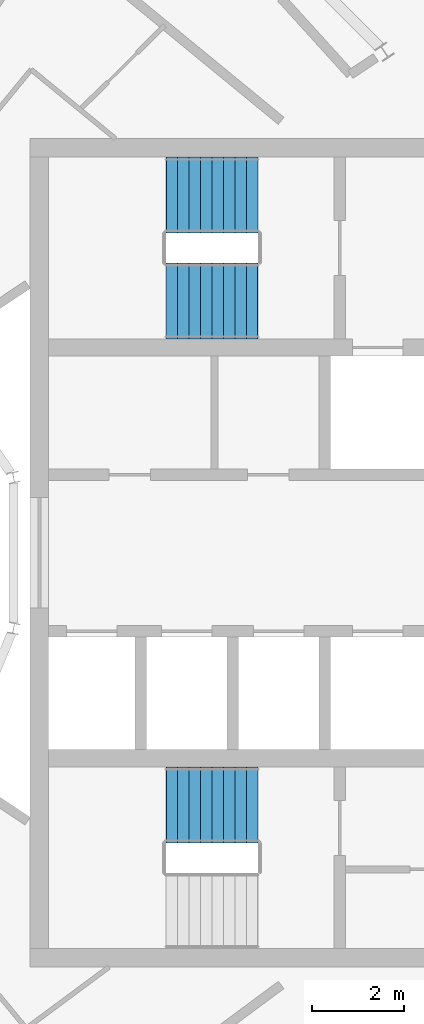
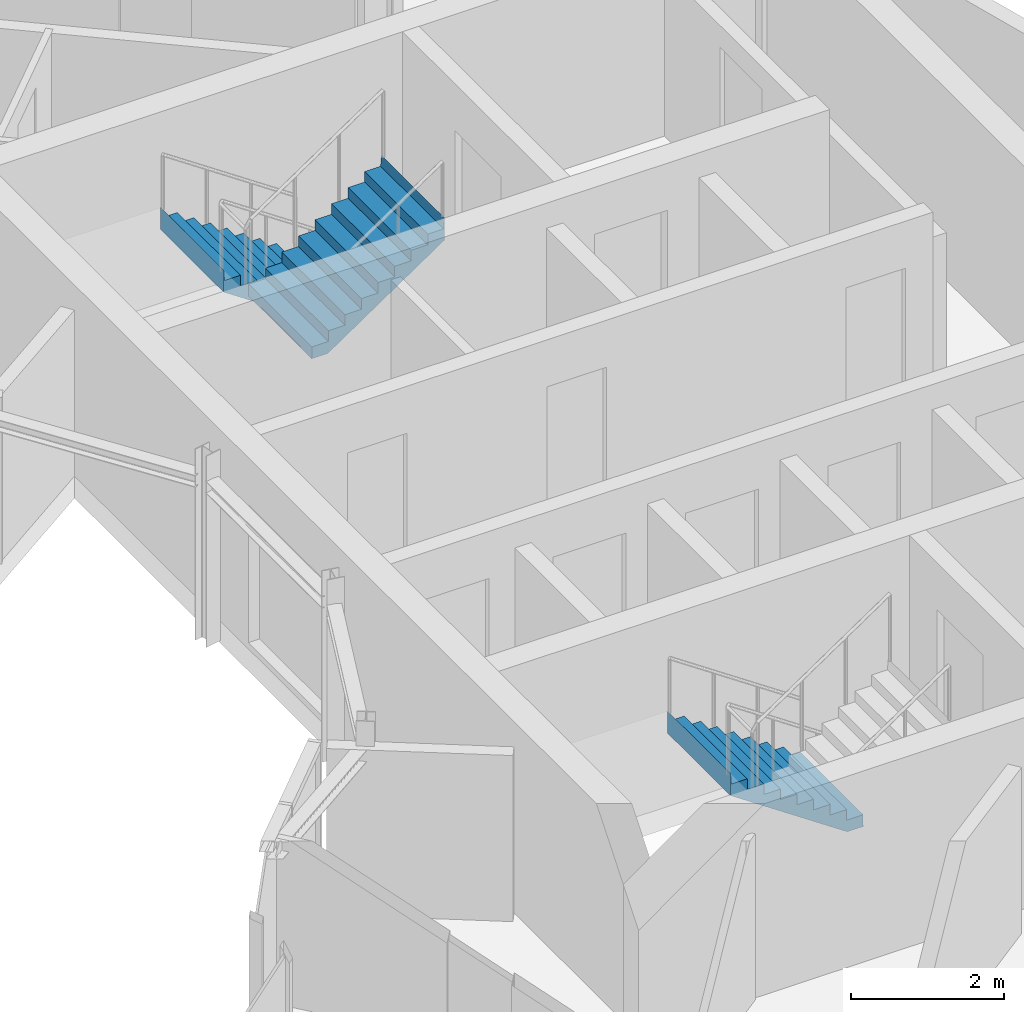
# One storey, part 16 of 17: 3 stair flights, 2 elements without a shape of their own.
"""IFC4 building model written with IfcOpenShell, lengths in metres."""

from ifc_helpers import new_model, si_unit, direction, frame, origin, place, context, subcontext, project, spatial, triangles, material, type_object, element, aggregate, save


model = new_model("IFC4")

# Units and contexts
model_context = context("Model", 3, precision=1e-05, world=origin(), true_north=direction((0.0, 1.0)))
body_context = subcontext(model_context, "Body", "Model", "MODEL_VIEW")
ifc_project = project(units=[si_unit("LENGTHUNIT", "METRE"), si_unit("AREAUNIT", "SQUARE_METRE"), si_unit("VOLUMEUNIT", "CUBIC_METRE"), si_unit("PLANEANGLEUNIT", "RADIAN"), si_unit("MASSUNIT", "GRAM", prefix="KILO")], contexts=[model_context])

# Site, building, storey
site_placement = place(None, origin())
site = spatial("IfcSite", under=ifc_project, at=site_placement, CompositionType="ELEMENT")
building_placement = place(site_placement, origin())
building = spatial("IfcBuilding", under=site, at=building_placement, Name="Maasbend Ring Residences", CompositionType="ELEMENT")
storey_placement = place(building_placement, frame((0.0, 0.0, 252.35009765625)))
storey = spatial("IfcBuildingStorey", under=building, at=storey_placement, Name="L73", CompositionType="ELEMENT", Elevation=252.35009765625)

# Stair, stair flights
ifc_material_1 = material(Name="Concrete C40/50", Category="concrete")
stair_type = type_object("IfcStairType", Name="CORE STAIR 18 RISERS", PredefinedType="HALF_TURN_STAIR", material=ifc_material_1)
stair_1_placement = place(storey_placement, origin())
stair_1 = element("IfcStair", 1, at=stair_1_placement, inside=storey, type_object=stair_type, Name="L73 Exit stair ST-E1", PredefinedType="HALF_TURN_STAIR")
ifc_material_2 = material(Name="Concrete C40/50", Category="concrete")
stair_flight_type = type_object("IfcStairFlightType", Name="CORE STAIR FLIGHT 1650", PredefinedType="STRAIGHT", material=ifc_material_2)
stair_flight_1_placement = place(storey_placement, frame((13.550048828125, 7.77490234375, 0.0), z_axis=(0.0, 0.0, 1.0), x_axis=(-1.0, 0.0, 0.0)))
stair_flight_1 = element("IfcStairFlight", 2, at=stair_flight_1_placement, type_object=stair_flight_type, Name="ST-E1 flight 1", NumberOfRisers=9, NumberOfTreads=8, PredefinedType="STRAIGHT", RiserHeight=0.169444444, TreadLength=0.25, context=body_context, shape_type="Tessellation", body=[
    triangles([(0.24072265625, 0.824951171875, -0.02001953125), (2.0029296875, 0.824951171875, 1.174560546875), (2.0029296875, 0.824951171875, 1.52490234375), (1.989990234375, 0.824951171875, 1.35546875), (1.75, 0.824951171875, 1.35546875), (1.75, 0.824951171875, 1.18603515625), (1.5, 0.824951171875, 1.18603515625), (1.5, 0.824951171875, 1.0166015625), (1.25, 0.824951171875, 1.0166015625), (1.25, 0.824951171875, 0.84716796875), (1.0, 0.824951171875, 0.84716796875), (1.0, 0.824951171875, 0.677734375), (0.75, 0.824951171875, 0.677734375), (0.75, 0.824951171875, 0.50830078125), (0.5, 0.824951171875, 0.50830078125), (0.5, 0.824951171875, 0.3388671875), (0.25, 0.824951171875, 0.3388671875), (0.25, 0.824951171875, 0.16943359375), (0.0, 0.824951171875, 0.16943359375), (0.0, 0.824951171875, 0.0), (-0.0029296875, 0.824951171875, 0.0), (-0.0029296875, 0.824951171875, -0.02001953125), (0.24072265625, 0.27490234375, -0.02001953125), (2.0029296875, 0.27490234375, 1.174560546875), (2.0029296875, 0.27490234375, 1.52490234375), (1.989990234375, 0.27490234375, 1.35546875), (1.75, 0.27490234375, 1.35546875), (1.75, 0.27490234375, 1.18603515625), (1.5, 0.27490234375, 1.18603515625), (1.5, 0.27490234375, 1.0166015625), (1.25, 0.27490234375, 1.0166015625), (1.25, 0.27490234375, 0.84716796875), (1.0, 0.27490234375, 0.84716796875), (1.0, 0.27490234375, 0.677734375), (0.75, 0.27490234375, 0.677734375), (0.75, 0.27490234375, 0.50830078125), (0.5, 0.27490234375, 0.50830078125), (0.5, 0.27490234375, 0.3388671875), (0.25, 0.27490234375, 0.3388671875), (0.25, 0.27490234375, 0.16943359375), (0.0, 0.27490234375, 0.16943359375), (0.0, 0.27490234375, 0.0), (-0.0029296875, 0.27490234375, 0.0), (-0.0029296875, 0.27490234375, -0.02001953125), (0.24072265625, -0.27490234375, -0.02001953125), (2.0029296875, -0.27490234375, 1.174560546875), (2.0029296875, -0.27490234375, 1.52490234375), (1.989990234375, -0.27490234375, 1.35546875), (1.75, -0.27490234375, 1.35546875), (1.75, -0.27490234375, 1.18603515625), (1.5, -0.27490234375, 1.18603515625), (1.5, -0.27490234375, 1.0166015625), (1.25, -0.27490234375, 1.0166015625), (1.25, -0.27490234375, 0.84716796875), (1.0, -0.27490234375, 0.84716796875), (1.0, -0.27490234375, 0.677734375), (0.75, -0.27490234375, 0.677734375), (0.75, -0.27490234375, 0.50830078125), (0.5, -0.27490234375, 0.50830078125), (0.5, -0.27490234375, 0.3388671875), (0.25, -0.27490234375, 0.3388671875), (0.25, -0.27490234375, 0.16943359375), (0.0, -0.27490234375, 0.16943359375), (0.0, -0.27490234375, 0.0), (-0.0029296875, -0.27490234375, 0.0), (-0.0029296875, -0.27490234375, -0.02001953125), (0.24072265625, -0.824951171875, -0.02001953125), (2.0029296875, -0.824951171875, 1.174560546875), (2.0029296875, -0.824951171875, 1.52490234375), (1.989990234375, -0.824951171875, 1.35546875), (1.75, -0.824951171875, 1.35546875), (1.75, -0.824951171875, 1.18603515625), (1.5, -0.824951171875, 1.18603515625), (1.5, -0.824951171875, 1.0166015625), (1.25, -0.824951171875, 1.0166015625), (1.25, -0.824951171875, 0.84716796875), (1.0, -0.824951171875, 0.84716796875), (1.0, -0.824951171875, 0.677734375), (0.75, -0.824951171875, 0.677734375), (0.75, -0.824951171875, 0.50830078125), (0.5, -0.824951171875, 0.50830078125), (0.5, -0.824951171875, 0.3388671875), (0.25, -0.824951171875, 0.3388671875), (0.25, -0.824951171875, 0.16943359375), (0.0, -0.824951171875, 0.16943359375), (0.0, -0.824951171875, 0.0), (-0.0029296875, -0.824951171875, 0.0), (-0.0029296875, -0.824951171875, -0.02001953125)], [[1, 2, 24], [1, 24, 23], [23, 24, 46], [23, 46, 45], [45, 46, 68], [45, 68, 67], [2, 3, 25], [2, 25, 24], [24, 25, 47], [24, 47, 46], [46, 47, 69], [46, 69, 68], [3, 4, 26], [3, 26, 25], [25, 26, 48], [25, 48, 47], [47, 48, 70], [47, 70, 69], [4, 5, 27], [4, 27, 26], [26, 27, 49], [26, 49, 48], [48, 49, 71], [48, 71, 70], [5, 6, 28], [5, 28, 27], [27, 28, 50], [27, 50, 49], [49, 50, 72], [49, 72, 71], [6, 7, 29], [6, 29, 28], [28, 29, 51], [28, 51, 50], [50, 51, 73], [50, 73, 72], [7, 8, 30], [7, 30, 29], [29, 30, 52], [29, 52, 51], [51, 52, 74], [51, 74, 73], [8, 9, 31], [8, 31, 30], [30, 31, 53], [30, 53, 52], [52, 53, 75], [52, 75, 74], [9, 10, 32], [9, 32, 31], [31, 32, 54], [31, 54, 53], [53, 54, 76], [53, 76, 75], [10, 11, 33], [10, 33, 32], [32, 33, 55], [32, 55, 54], [54, 55, 77], [54, 77, 76], [11, 12, 34], [11, 34, 33], [33, 34, 56], [33, 56, 55], [55, 56, 78], [55, 78, 77], [12, 13, 35], [12, 35, 34], [34, 35, 57], [34, 57, 56], [56, 57, 79], [56, 79, 78], [13, 14, 36], [13, 36, 35], [35, 36, 58], [35, 58, 57], [57, 58, 80], [57, 80, 79], [14, 15, 37], [14, 37, 36], [36, 37, 59], [36, 59, 58], [58, 59, 81], [58, 81, 80], [15, 16, 38], [15, 38, 37], [37, 38, 60], [37, 60, 59], [59, 60, 82], [59, 82, 81], [16, 17, 39], [16, 39, 38], [38, 39, 61], [38, 61, 60], [60, 61, 83], [60, 83, 82], [17, 18, 40], [17, 40, 39], [39, 40, 62], [39, 62, 61], [61, 62, 84], [61, 84, 83], [18, 19, 41], [18, 41, 40], [40, 41, 63], [40, 63, 62], [62, 63, 85], [62, 85, 84], [19, 20, 42], [19, 42, 41], [41, 42, 64], [41, 64, 63], [63, 64, 86], [63, 86, 85], [20, 21, 43], [20, 43, 42], [42, 43, 65], [42, 65, 64], [64, 65, 87], [64, 87, 86], [21, 22, 44], [21, 44, 43], [43, 44, 66], [43, 66, 65], [65, 66, 88], [65, 88, 87], [22, 1, 23], [22, 23, 44], [44, 23, 45], [44, 45, 66], [66, 45, 67], [66, 67, 88], [22, 2, 1], [2, 4, 3], [2, 5, 4], [2, 6, 5], [22, 6, 2], [6, 8, 7], [22, 8, 6], [8, 10, 9], [22, 10, 8], [10, 12, 11], [22, 12, 10], [12, 14, 13], [22, 14, 12], [14, 16, 15], [22, 16, 14], [16, 18, 17], [22, 18, 16], [18, 20, 19], [22, 20, 18], [20, 22, 21], [88, 67, 68], [68, 69, 70], [68, 70, 71], [68, 71, 72], [88, 68, 72], [72, 73, 74], [88, 72, 74], [74, 75, 76], [88, 74, 76], [76, 77, 78], [88, 76, 78], [78, 79, 80], [88, 78, 80], [80, 81, 82], [88, 80, 82], [82, 83, 84], [88, 82, 84], [84, 85, 86], [88, 84, 86], [86, 87, 88]], closed=True),
])
stair_flight_2_placement = place(storey_placement, frame((11.550048828125, 5.47509765625, 1.52490234375), z_axis=(0.0, 0.0, 1.0), x_axis=(1.0, 0.0, 0.0)))
stair_flight_2 = element("IfcStairFlight", 3, at=stair_flight_2_placement, type_object=stair_flight_type, Name="ST-E1 flight 2", NumberOfRisers=9, NumberOfTreads=8, PredefinedType="STRAIGHT", RiserHeight=0.169444444, TreadLength=0.25, context=body_context, shape_type="Tessellation", body=[
    triangles([(0.24072265625, 0.824951171875, -0.02001953125), (2.0029296875, 0.824951171875, 1.174560546875), (2.0029296875, 0.824951171875, 1.52490234375), (1.989990234375, 0.824951171875, 1.35546875), (1.75, 0.824951171875, 1.35546875), (1.75, 0.824951171875, 1.18603515625), (1.5, 0.824951171875, 1.18603515625), (1.5, 0.824951171875, 1.0166015625), (1.25, 0.824951171875, 1.0166015625), (1.25, 0.824951171875, 0.84716796875), (1.0, 0.824951171875, 0.84716796875), (1.0, 0.824951171875, 0.677734375), (0.75, 0.824951171875, 0.677734375), (0.75, 0.824951171875, 0.50830078125), (0.5, 0.824951171875, 0.50830078125), (0.5, 0.824951171875, 0.3388671875), (0.25, 0.824951171875, 0.3388671875), (0.25, 0.824951171875, 0.16943359375), (0.0, 0.824951171875, 0.16943359375), (0.0, 0.824951171875, 0.0), (-0.0029296875, 0.824951171875, 0.0), (-0.0029296875, 0.824951171875, -0.02001953125), (0.24072265625, 0.27490234375, -0.02001953125), (2.0029296875, 0.27490234375, 1.174560546875), (2.0029296875, 0.27490234375, 1.52490234375), (1.989990234375, 0.27490234375, 1.35546875), (1.75, 0.27490234375, 1.35546875), (1.75, 0.27490234375, 1.18603515625), (1.5, 0.27490234375, 1.18603515625), (1.5, 0.27490234375, 1.0166015625), (1.25, 0.27490234375, 1.0166015625), (1.25, 0.27490234375, 0.84716796875), (1.0, 0.27490234375, 0.84716796875), (1.0, 0.27490234375, 0.677734375), (0.75, 0.27490234375, 0.677734375), (0.75, 0.27490234375, 0.50830078125), (0.5, 0.27490234375, 0.50830078125), (0.5, 0.27490234375, 0.3388671875), (0.25, 0.27490234375, 0.3388671875), (0.25, 0.27490234375, 0.16943359375), (0.0, 0.27490234375, 0.16943359375), (0.0, 0.27490234375, 0.0), (-0.0029296875, 0.27490234375, 0.0), (-0.0029296875, 0.27490234375, -0.02001953125), (0.24072265625, -0.27490234375, -0.02001953125), (2.0029296875, -0.27490234375, 1.174560546875), (2.0029296875, -0.27490234375, 1.52490234375), (1.989990234375, -0.27490234375, 1.35546875), (1.75, -0.27490234375, 1.35546875), (1.75, -0.27490234375, 1.18603515625), (1.5, -0.27490234375, 1.18603515625), (1.5, -0.27490234375, 1.0166015625), (1.25, -0.27490234375, 1.0166015625), (1.25, -0.27490234375, 0.84716796875), (1.0, -0.27490234375, 0.84716796875), (1.0, -0.27490234375, 0.677734375), (0.75, -0.27490234375, 0.677734375), (0.75, -0.27490234375, 0.50830078125), (0.5, -0.27490234375, 0.50830078125), (0.5, -0.27490234375, 0.3388671875), (0.25, -0.27490234375, 0.3388671875), (0.25, -0.27490234375, 0.16943359375), (0.0, -0.27490234375, 0.16943359375), (0.0, -0.27490234375, 0.0), (-0.0029296875, -0.27490234375, 0.0), (-0.0029296875, -0.27490234375, -0.02001953125), (0.24072265625, -0.824951171875, -0.02001953125), (2.0029296875, -0.824951171875, 1.174560546875), (2.0029296875, -0.824951171875, 1.52490234375), (1.989990234375, -0.824951171875, 1.35546875), (1.75, -0.824951171875, 1.35546875), (1.75, -0.824951171875, 1.18603515625), (1.5, -0.824951171875, 1.18603515625), (1.5, -0.824951171875, 1.0166015625), (1.25, -0.824951171875, 1.0166015625), (1.25, -0.824951171875, 0.84716796875), (1.0, -0.824951171875, 0.84716796875), (1.0, -0.824951171875, 0.677734375), (0.75, -0.824951171875, 0.677734375), (0.75, -0.824951171875, 0.50830078125), (0.5, -0.824951171875, 0.50830078125), (0.5, -0.824951171875, 0.3388671875), (0.25, -0.824951171875, 0.3388671875), (0.25, -0.824951171875, 0.16943359375), (0.0, -0.824951171875, 0.16943359375), (0.0, -0.824951171875, 0.0), (-0.0029296875, -0.824951171875, 0.0), (-0.0029296875, -0.824951171875, -0.02001953125)], [[1, 2, 24], [1, 24, 23], [23, 24, 46], [23, 46, 45], [45, 46, 68], [45, 68, 67], [2, 3, 25], [2, 25, 24], [24, 25, 47], [24, 47, 46], [46, 47, 69], [46, 69, 68], [3, 4, 26], [3, 26, 25], [25, 26, 48], [25, 48, 47], [47, 48, 70], [47, 70, 69], [4, 5, 27], [4, 27, 26], [26, 27, 49], [26, 49, 48], [48, 49, 71], [48, 71, 70], [5, 6, 28], [5, 28, 27], [27, 28, 50], [27, 50, 49], [49, 50, 72], [49, 72, 71], [6, 7, 29], [6, 29, 28], [28, 29, 51], [28, 51, 50], [50, 51, 73], [50, 73, 72], [7, 8, 30], [7, 30, 29], [29, 30, 52], [29, 52, 51], [51, 52, 74], [51, 74, 73], [8, 9, 31], [8, 31, 30], [30, 31, 53], [30, 53, 52], [52, 53, 75], [52, 75, 74], [9, 10, 32], [9, 32, 31], [31, 32, 54], [31, 54, 53], [53, 54, 76], [53, 76, 75], [10, 11, 33], [10, 33, 32], [32, 33, 55], [32, 55, 54], [54, 55, 77], [54, 77, 76], [11, 12, 34], [11, 34, 33], [33, 34, 56], [33, 56, 55], [55, 56, 78], [55, 78, 77], [12, 13, 35], [12, 35, 34], [34, 35, 57], [34, 57, 56], [56, 57, 79], [56, 79, 78], [13, 14, 36], [13, 36, 35], [35, 36, 58], [35, 58, 57], [57, 58, 80], [57, 80, 79], [14, 15, 37], [14, 37, 36], [36, 37, 59], [36, 59, 58], [58, 59, 81], [58, 81, 80], [15, 16, 38], [15, 38, 37], [37, 38, 60], [37, 60, 59], [59, 60, 82], [59, 82, 81], [16, 17, 39], [16, 39, 38], [38, 39, 61], [38, 61, 60], [60, 61, 83], [60, 83, 82], [17, 18, 40], [17, 40, 39], [39, 40, 62], [39, 62, 61], [61, 62, 84], [61, 84, 83], [18, 19, 41], [18, 41, 40], [40, 41, 63], [40, 63, 62], [62, 63, 85], [62, 85, 84], [19, 20, 42], [19, 42, 41], [41, 42, 64], [41, 64, 63], [63, 64, 86], [63, 86, 85], [20, 21, 43], [20, 43, 42], [42, 43, 65], [42, 65, 64], [64, 65, 87], [64, 87, 86], [21, 22, 44], [21, 44, 43], [43, 44, 66], [43, 66, 65], [65, 66, 88], [65, 88, 87], [22, 1, 23], [22, 23, 44], [44, 23, 45], [44, 45, 66], [66, 45, 67], [66, 67, 88], [22, 2, 1], [2, 4, 3], [2, 5, 4], [2, 6, 5], [22, 6, 2], [6, 8, 7], [22, 8, 6], [8, 10, 9], [22, 10, 8], [10, 12, 11], [22, 12, 10], [12, 14, 13], [22, 14, 12], [14, 16, 15], [22, 16, 14], [16, 18, 17], [22, 18, 16], [18, 20, 19], [22, 20, 18], [20, 22, 21], [88, 67, 68], [68, 69, 70], [68, 70, 71], [68, 71, 72], [88, 68, 72], [72, 73, 74], [88, 72, 74], [74, 75, 76], [88, 74, 76], [76, 77, 78], [88, 76, 78], [78, 79, 80], [88, 78, 80], [80, 81, 82], [88, 80, 82], [82, 83, 84], [88, 82, 84], [84, 85, 86], [88, 84, 86], [86, 87, 88]], closed=True),
])
aggregate(stair_1, [stair_flight_1, stair_flight_2])

# Stair, stair flight
stair_2_placement = place(storey_placement, origin())
stair_2 = element("IfcStair", 4, at=stair_2_placement, inside=storey, type_object=stair_type, Name="L73 Exit stair ST-E2", PredefinedType="HALF_TURN_STAIR")
stair_flight_3_placement = place(storey_placement, frame((13.550048828125, -5.47509765625, 0.0), z_axis=(0.0, 0.0, 1.0), x_axis=(-1.0, 0.0, 0.0)))
stair_flight_3 = element("IfcStairFlight", 5, at=stair_flight_3_placement, type_object=stair_flight_type, Name="ST-E2 flight 1", NumberOfRisers=9, NumberOfTreads=8, PredefinedType="STRAIGHT", RiserHeight=0.169444444, TreadLength=0.25, context=body_context, shape_type="Tessellation", body=[
    triangles([(0.24072265625, 0.824951171875, -0.02001953125), (2.0029296875, 0.824951171875, 1.174560546875), (2.0029296875, 0.824951171875, 1.52490234375), (1.989990234375, 0.824951171875, 1.35546875), (1.75, 0.824951171875, 1.35546875), (1.75, 0.824951171875, 1.18603515625), (1.5, 0.824951171875, 1.18603515625), (1.5, 0.824951171875, 1.0166015625), (1.25, 0.824951171875, 1.0166015625), (1.25, 0.824951171875, 0.84716796875), (1.0, 0.824951171875, 0.84716796875), (1.0, 0.824951171875, 0.677734375), (0.75, 0.824951171875, 0.677734375), (0.75, 0.824951171875, 0.50830078125), (0.5, 0.824951171875, 0.50830078125), (0.5, 0.824951171875, 0.3388671875), (0.25, 0.824951171875, 0.3388671875), (0.25, 0.824951171875, 0.16943359375), (0.0, 0.824951171875, 0.16943359375), (0.0, 0.824951171875, 0.0), (-0.0029296875, 0.824951171875, 0.0), (-0.0029296875, 0.824951171875, -0.02001953125), (0.24072265625, 0.27490234375, -0.02001953125), (2.0029296875, 0.27490234375, 1.174560546875), (2.0029296875, 0.27490234375, 1.52490234375), (1.989990234375, 0.27490234375, 1.35546875), (1.75, 0.27490234375, 1.35546875), (1.75, 0.27490234375, 1.18603515625), (1.5, 0.27490234375, 1.18603515625), (1.5, 0.27490234375, 1.0166015625), (1.25, 0.27490234375, 1.0166015625), (1.25, 0.27490234375, 0.84716796875), (1.0, 0.27490234375, 0.84716796875), (1.0, 0.27490234375, 0.677734375), (0.75, 0.27490234375, 0.677734375), (0.75, 0.27490234375, 0.50830078125), (0.5, 0.27490234375, 0.50830078125), (0.5, 0.27490234375, 0.3388671875), (0.25, 0.27490234375, 0.3388671875), (0.25, 0.27490234375, 0.16943359375), (0.0, 0.27490234375, 0.16943359375), (0.0, 0.27490234375, 0.0), (-0.0029296875, 0.27490234375, 0.0), (-0.0029296875, 0.27490234375, -0.02001953125), (0.24072265625, -0.27490234375, -0.02001953125), (2.0029296875, -0.27490234375, 1.174560546875), (2.0029296875, -0.27490234375, 1.52490234375), (1.989990234375, -0.27490234375, 1.35546875), (1.75, -0.27490234375, 1.35546875), (1.75, -0.27490234375, 1.18603515625), (1.5, -0.27490234375, 1.18603515625), (1.5, -0.27490234375, 1.0166015625), (1.25, -0.27490234375, 1.0166015625), (1.25, -0.27490234375, 0.84716796875), (1.0, -0.27490234375, 0.84716796875), (1.0, -0.27490234375, 0.677734375), (0.75, -0.27490234375, 0.677734375), (0.75, -0.27490234375, 0.50830078125), (0.5, -0.27490234375, 0.50830078125), (0.5, -0.27490234375, 0.3388671875), (0.25, -0.27490234375, 0.3388671875), (0.25, -0.27490234375, 0.16943359375), (0.0, -0.27490234375, 0.16943359375), (0.0, -0.27490234375, 0.0), (-0.0029296875, -0.27490234375, 0.0), (-0.0029296875, -0.27490234375, -0.02001953125), (0.24072265625, -0.824951171875, -0.02001953125), (2.0029296875, -0.824951171875, 1.174560546875), (2.0029296875, -0.824951171875, 1.52490234375), (1.989990234375, -0.824951171875, 1.35546875), (1.75, -0.824951171875, 1.35546875), (1.75, -0.824951171875, 1.18603515625), (1.5, -0.824951171875, 1.18603515625), (1.5, -0.824951171875, 1.0166015625), (1.25, -0.824951171875, 1.0166015625), (1.25, -0.824951171875, 0.84716796875), (1.0, -0.824951171875, 0.84716796875), (1.0, -0.824951171875, 0.677734375), (0.75, -0.824951171875, 0.677734375), (0.75, -0.824951171875, 0.50830078125), (0.5, -0.824951171875, 0.50830078125), (0.5, -0.824951171875, 0.3388671875), (0.25, -0.824951171875, 0.3388671875), (0.25, -0.824951171875, 0.16943359375), (0.0, -0.824951171875, 0.16943359375), (0.0, -0.824951171875, 0.0), (-0.0029296875, -0.824951171875, 0.0), (-0.0029296875, -0.824951171875, -0.02001953125)], [[1, 2, 24], [1, 24, 23], [23, 24, 46], [23, 46, 45], [45, 46, 68], [45, 68, 67], [2, 3, 25], [2, 25, 24], [24, 25, 47], [24, 47, 46], [46, 47, 69], [46, 69, 68], [3, 4, 26], [3, 26, 25], [25, 26, 48], [25, 48, 47], [47, 48, 70], [47, 70, 69], [4, 5, 27], [4, 27, 26], [26, 27, 49], [26, 49, 48], [48, 49, 71], [48, 71, 70], [5, 6, 28], [5, 28, 27], [27, 28, 50], [27, 50, 49], [49, 50, 72], [49, 72, 71], [6, 7, 29], [6, 29, 28], [28, 29, 51], [28, 51, 50], [50, 51, 73], [50, 73, 72], [7, 8, 30], [7, 30, 29], [29, 30, 52], [29, 52, 51], [51, 52, 74], [51, 74, 73], [8, 9, 31], [8, 31, 30], [30, 31, 53], [30, 53, 52], [52, 53, 75], [52, 75, 74], [9, 10, 32], [9, 32, 31], [31, 32, 54], [31, 54, 53], [53, 54, 76], [53, 76, 75], [10, 11, 33], [10, 33, 32], [32, 33, 55], [32, 55, 54], [54, 55, 77], [54, 77, 76], [11, 12, 34], [11, 34, 33], [33, 34, 56], [33, 56, 55], [55, 56, 78], [55, 78, 77], [12, 13, 35], [12, 35, 34], [34, 35, 57], [34, 57, 56], [56, 57, 79], [56, 79, 78], [13, 14, 36], [13, 36, 35], [35, 36, 58], [35, 58, 57], [57, 58, 80], [57, 80, 79], [14, 15, 37], [14, 37, 36], [36, 37, 59], [36, 59, 58], [58, 59, 81], [58, 81, 80], [15, 16, 38], [15, 38, 37], [37, 38, 60], [37, 60, 59], [59, 60, 82], [59, 82, 81], [16, 17, 39], [16, 39, 38], [38, 39, 61], [38, 61, 60], [60, 61, 83], [60, 83, 82], [17, 18, 40], [17, 40, 39], [39, 40, 62], [39, 62, 61], [61, 62, 84], [61, 84, 83], [18, 19, 41], [18, 41, 40], [40, 41, 63], [40, 63, 62], [62, 63, 85], [62, 85, 84], [19, 20, 42], [19, 42, 41], [41, 42, 64], [41, 64, 63], [63, 64, 86], [63, 86, 85], [20, 21, 43], [20, 43, 42], [42, 43, 65], [42, 65, 64], [64, 65, 87], [64, 87, 86], [21, 22, 44], [21, 44, 43], [43, 44, 66], [43, 66, 65], [65, 66, 88], [65, 88, 87], [22, 1, 23], [22, 23, 44], [44, 23, 45], [44, 45, 66], [66, 45, 67], [66, 67, 88], [22, 2, 1], [2, 4, 3], [2, 5, 4], [2, 6, 5], [22, 6, 2], [6, 8, 7], [22, 8, 6], [8, 10, 9], [22, 10, 8], [10, 12, 11], [22, 12, 10], [12, 14, 13], [22, 14, 12], [14, 16, 15], [22, 16, 14], [16, 18, 17], [22, 18, 16], [18, 20, 19], [22, 20, 18], [20, 22, 21], [88, 67, 68], [68, 69, 70], [68, 70, 71], [68, 71, 72], [88, 68, 72], [72, 73, 74], [88, 72, 74], [74, 75, 76], [88, 74, 76], [76, 77, 78], [88, 76, 78], [78, 79, 80], [88, 78, 80], [80, 81, 82], [88, 80, 82], [82, 83, 84], [88, 82, 84], [84, 85, 86], [88, 84, 86], [86, 87, 88]], closed=True),
])
aggregate(stair_2, [stair_flight_3])

save(model, "model.ifc")
